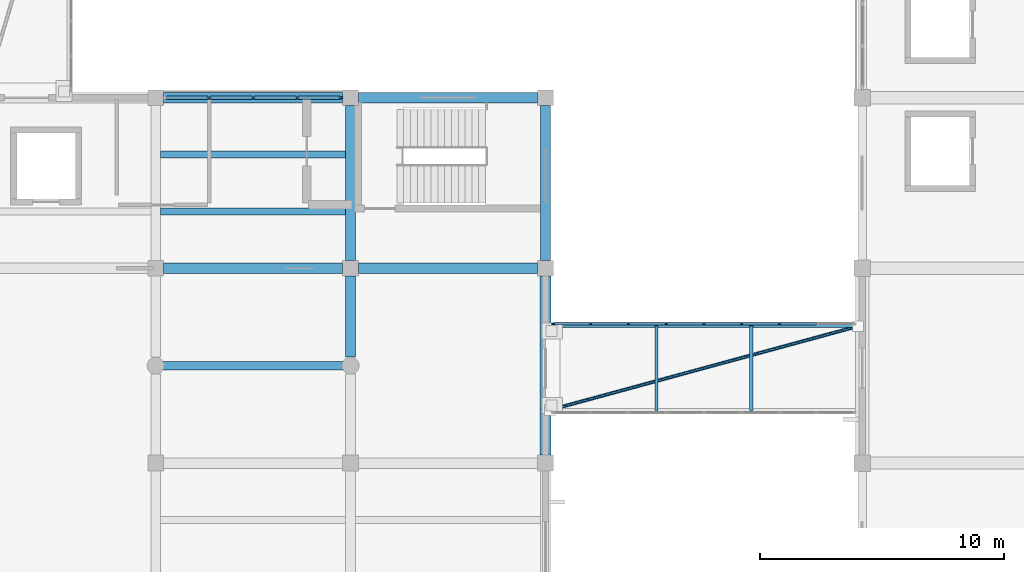
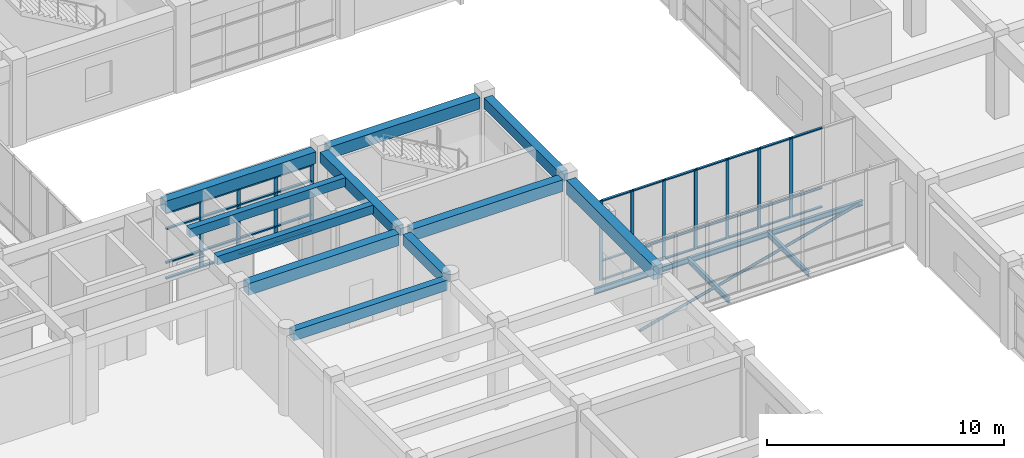
# One storey, part 22 of 72: 49 members, 14 beams, 2 elements without a shape of their own.
"""IFC4 building model written with IfcOpenShell, lengths in metres."""

from ifc_helpers import new_model, si_unit, direction, frame, origin, origin_2d, place, context, subcontext, project, spatial, rectangle, hollow_circle, i_section, extrude, material, layer, layer_set, material_profile, profile_set, type_object, element, aggregate, save


model = new_model("IFC4")

# Units and contexts
model_context = context("Model", 3, precision=1e-05, world=origin(), true_north=direction((0.0, 1.0)))
body_context = subcontext(model_context, "Body", "Model", "MODEL_VIEW")
ifc_project = project(units=[si_unit("LENGTHUNIT", "METRE"), si_unit("AREAUNIT", "SQUARE_METRE"), si_unit("VOLUMEUNIT", "CUBIC_METRE"), si_unit("PLANEANGLEUNIT", "RADIAN"), si_unit("MASSUNIT", "GRAM", prefix="KILO")], contexts=[model_context])

# Site, building, storey
site_placement = place(None, origin())
site = spatial("IfcSite", under=ifc_project, at=site_placement, CompositionType="ELEMENT")
building_placement = place(site_placement, origin())
building = spatial("IfcBuilding", under=site, at=building_placement, Name="Naurynzar Civic Courthouse", CompositionType="ELEMENT")
storey_placement = place(building_placement, frame((0.0, 0.0, 9.89990234375)))
storey = spatial("IfcBuildingStorey", under=building, at=storey_placement, Name="L03", CompositionType="ELEMENT", Elevation=9.89990234375)

# Beams
ifc_material_1 = material(Name="Concrete C40/50", Category="concrete")
ifc_material_profile_1 = material_profile(ifc_material_1, rectangle(XDim=0.300048828125, YDim=0.449951171875, at=origin_2d()), Name="RCJ 300x450")
ifc_profile_set_1 = profile_set([ifc_material_profile_1], Name="Concrete C40/50")
beam_type_1 = type_object("IfcBeamType", Name="BM-JST-300x450", PredefinedType="JOIST", material=ifc_profile_set_1)
for number, where, z_axis, x_axis, name in (
    (1, (101.199951171875, 27.333251953125, 3.93505859375), (1.0, 0.0, 0.0), (0.0, 1.0, 0.0), "V3 secondary rib 1488 L03"),
    (2, (101.199951171875, 29.666748046875, 3.93505859375), (1.0, 0.0, 0.0), (0.0, 1.0, 0.0), "V3 secondary rib 1489 L03"),
):
    element("IfcBeam", number, at=place(storey_placement, frame(where, z_axis=z_axis, x_axis=x_axis)), inside=storey, type_object=beam_type_1, Name=name, PredefinedType="JOIST", context=body_context, shape_type="SweptSolid", body=[
        extrude(rectangle(XDim=0.300048828125, YDim=0.449951171875, at=origin_2d()), origin(), (0.0, 0.0, 1.0), 7.60009765625),
    ])
ifc_material_2 = material(Name="Concrete C40/50", Category="concrete")
ifc_material_profile_2 = material_profile(ifc_material_2, rectangle(XDim=0.35009765625, YDim=0.52490234375, at=origin_2d()), Name="RCB 350x525")
ifc_profile_set_2 = profile_set([ifc_material_profile_2], Name="Concrete C40/50")
beam_type_2 = type_object("IfcBeamType", Name="BM-LNT-350x525", PredefinedType="LINTEL", material=ifc_profile_set_2)
beam_1_placement = place(storey_placement, frame((101.25, 21.0, 3.897705078125), z_axis=(1.0, 0.0, 0.0), x_axis=(0.0, 1.0, 0.0)))
element("IfcBeam", 3, at=beam_1_placement, inside=storey, type_object=beam_type_2, Name="Law Library spine lintel beam 8", PredefinedType="LINTEL", context=body_context, shape_type="SweptSolid", body=[
    extrude(rectangle(XDim=0.35009765625, YDim=0.52490234375, at=origin_2d()), origin(), (0.0, 0.0, 1.0), 7.5),
])
ifc_material_3 = material(Name="Concrete C40/50", Category="concrete")
ifc_material_profile_3 = material_profile(ifc_material_3, rectangle(XDim=0.39990234375, YDim=0.550048828125, at=origin_2d()), Name="RCB 400x550")
ifc_profile_set_3 = profile_set([ifc_material_profile_3], Name="Concrete C40/50")
beam_type_3 = type_object("IfcBeamType", Name="BM-RC-400x550", PredefinedType="BEAM", material=ifc_profile_set_3)
beam_2_placement = place(storey_placement, frame((109.0, 21.35009765625, 3.885009765625), z_axis=(0.0, 1.0, 0.0), x_axis=(-1.0, 0.0, 0.0)))
element("IfcBeam", 4, at=beam_2_placement, inside=storey, type_object=beam_type_3, Name="V3 girder Y-1469 L03", PredefinedType="BEAM", context=body_context, shape_type="SweptSolid", body=[
    extrude(rectangle(XDim=0.39990234375, YDim=0.550048828125, at=origin_2d()), origin(), (0.0, 0.0, 1.0), 3.324951171875),
])
for number, where, z_axis, x_axis, name in (
    (5, (109.0, 25.324951171875, 3.885009765625), (0.0, 1.0, 0.0), (-1.0, 0.0, 0.0), "V3 girder Y-1470 L03"),
    (6, (117.0, 25.324951171875, 3.885009765625), (0.0, 1.0, 0.0), (-1.0, 0.0, 0.0), "V3 girder Y-1474 L03"),
):
    element("IfcBeam", number, at=place(storey_placement, frame(where, z_axis=z_axis, x_axis=x_axis)), inside=storey, type_object=beam_type_3, Name=name, PredefinedType="BEAM", context=body_context, shape_type="SweptSolid", body=[
        extrude(rectangle(XDim=0.39990234375, YDim=0.550048828125, at=origin_2d()), origin(), (0.0, 0.0, 1.0), 6.35009765625),
    ])
ifc_material_4 = material(Name="Concrete C40/50", Category="concrete")
ifc_material_profile_4 = material_profile(ifc_material_4, rectangle(XDim=0.425048828125, YDim=0.60009765625, at=origin_2d()), Name="RCB 425x600")
ifc_profile_set_4 = profile_set([ifc_material_profile_4], Name="Concrete C40/50")
beam_type_4 = type_object("IfcBeamType", Name="BM-RC-425x600", PredefinedType="BEAM", material=ifc_profile_set_4)
for number, where, z_axis, x_axis, name in (
    (7, (101.324951171875, 25.0, 3.860107421875), (1.0, 0.0, 0.0), (0.0, 1.0, 0.0), "V3 beam X-1437 L03"),
    (8, (109.324951171875, 25.0, 3.860107421875), (1.0, 0.0, 0.0), (0.0, 1.0, 0.0), "V3 beam X-1438 L03"),
    (9, (101.324951171875, 32.0, 3.860107421875), (1.0, 0.0, 0.0), (0.0, 1.0, 0.0), "V3 beam X-1443 L03"),
    (10, (109.324951171875, 32.0, 3.860107421875), (1.0, 0.0, 0.0), (0.0, 1.0, 0.0), "V3 beam X-1444 L03"),
):
    element("IfcBeam", number, at=place(storey_placement, frame(where, z_axis=z_axis, x_axis=x_axis)), inside=storey, type_object=beam_type_4, Name=name, PredefinedType="BEAM", context=body_context, shape_type="SweptSolid", body=[
        extrude(rectangle(XDim=0.425048828125, YDim=0.60009765625, at=origin_2d()), origin(), (0.0, 0.0, 1.0), 7.35009765625),
    ])
ifc_material_5 = material(Name="Concrete C40/50", Category="concrete")
ifc_material_profile_5 = material_profile(ifc_material_5, rectangle(XDim=0.449951171875, YDim=0.699951171875, at=origin_2d()), Name="RCB 450x700")
ifc_profile_set_5 = profile_set([ifc_material_profile_5], Name="Concrete C40/50")
beam_type_5 = type_object("IfcBeamType", Name="BM-RC-450x700", PredefinedType="BEAM", material=ifc_profile_set_5)
beam_3_placement = place(storey_placement, frame((117.0, 17.324951171875, 3.81005859375), z_axis=(0.0, 1.0, 0.0), x_axis=(-1.0, 0.0, 0.0)))
element("IfcBeam", 11, at=beam_3_placement, inside=storey, type_object=beam_type_5, Name="V3 girder Y-1473 L03", PredefinedType="BEAM", context=body_context, shape_type="SweptSolid", body=[
    extrude(rectangle(XDim=0.449951171875, YDim=0.699951171875, at=origin_2d()), origin(), (0.0, 0.0, 1.0), 7.35009765625),
])
ifc_material_6 = material(Name="Steel S355", Category="steel")
ifc_material_profile_6 = material_profile(ifc_material_6, i_section(OverallWidth=0.135009765625, OverallDepth=0.27001953125, WebThickness=0.006591796875, FlangeThickness=0.01025390625, FilletRadius=0.014892578125, at=origin_2d()), Name="IPE 270")
ifc_profile_set_6 = profile_set([ifc_material_profile_6], Name="Steel S355")
beam_type_6 = type_object("IfcBeamType", Name="BM-STL-IPE270", PredefinedType="BEAM", material=ifc_profile_set_6)
beam_4_placement = place(storey_placement, frame((116.949951171875, 22.6298828125, -0.375), z_axis=(1.0, 0.0, 0.0), x_axis=(0.0, 1.0, 0.0)))
element("IfcBeam", 12, at=beam_4_placement, inside=storey, type_object=beam_type_6, Name="BR-E2 edge steel beam L03.2", PredefinedType="BEAM", context=body_context, shape_type="SweptSolid", body=[
    extrude(i_section(OverallWidth=0.135009765625, OverallDepth=0.27001953125, WebThickness=0.006591796875, FlangeThickness=0.01025390625, FilletRadius=0.014892578125, at=origin_2d()), origin(), (0.0, 0.0, 1.0), 13.10009765625),
])
for number, where, z_axis, x_axis, name in (
    (13, (121.555908203125, 19.169921875, -0.375), (0.0, 1.0, 0.0), (-1.0, 0.0, 0.0), "BR-E2 deck cross-beam L03.1"),
    (14, (125.444091796875, 19.169921875, -0.375), (0.0, 1.0, 0.0), (-1.0, 0.0, 0.0), "BR-E2 deck cross-beam L03.2"),
):
    element("IfcBeam", number, at=place(storey_placement, frame(where, z_axis=z_axis, x_axis=x_axis)), inside=storey, type_object=beam_type_6, Name=name, PredefinedType="BEAM", context=body_context, shape_type="SweptSolid", body=[
        extrude(i_section(OverallWidth=0.135009765625, OverallDepth=0.27001953125, WebThickness=0.006591796875, FlangeThickness=0.01025390625, FilletRadius=0.014892578125, at=origin_2d()), origin(), (0.0, 0.0, 1.0), 3.4599609375),
    ])

# Curtain wall, members
ifc_material_7 = material(Name="Aluminium 6063-T6", Category="aluminium")
ifc_layer_1 = layer(ifc_material_7, 0.14990234375)
ifc_layer_set_1 = layer_set([ifc_layer_1], Name="CW-BRIDGE-1500")
curtain_wall_type_1 = type_object("IfcCurtainWallType", Name="CW-BRIDGE-1500", PredefinedType="USERDEFINED", material=ifc_layer_set_1)
curtain_wall_1_placement = place(storey_placement, origin())
curtain_wall_1 = element("IfcCurtainWall", 15, at=curtain_wall_1_placement, inside=storey, type_object=curtain_wall_type_1, Name="BR-E2 glazed bridge screen L03.2", ObjectType="GLAZED BRIDGE SCREEN", PredefinedType="USERDEFINED")
ifc_material_8 = material(Name="Aluminium 6063-T6", Category="aluminium")
ifc_material_profile_7 = material_profile(ifc_material_8, rectangle(XDim=0.06005859375, YDim=0.14990234375, at=origin_2d()), Name="ALU MULLION 60x150")
ifc_profile_set_7 = profile_set([ifc_material_profile_7], Name="Aluminium 6063-T6")
member_type_1 = type_object("IfcMemberType", Name="CWM-60x150", PredefinedType="MULLION", material=ifc_profile_set_7)
member_1_placement = place(storey_placement, frame((126.60009765625, 22.719970703125, 0.0), z_axis=(0.0, 0.0, 1.0), x_axis=(0.0, -1.0, 0.0)))
member_1 = element("IfcMember", 16, at=member_1_placement, type_object=member_type_1, Name="CW-03 mullion 3", PredefinedType="MULLION", context=body_context, shape_type="SweptSolid", body=[
    extrude(rectangle(XDim=0.06005859375, YDim=0.14990234375, at=origin_2d()), origin(), (0.0, 0.0, 1.0), 4.1201171875),
])
member_2_placement = place(storey_placement, frame((125.050048828125, 22.719970703125, 0.0), z_axis=(0.0, 0.0, 1.0), x_axis=(0.0, -1.0, 0.0)))
member_2 = element("IfcMember", 17, at=member_2_placement, type_object=member_type_1, Name="CW-03 mullion 4", PredefinedType="MULLION", context=body_context, shape_type="SweptSolid", body=[
    extrude(rectangle(XDim=0.06005859375, YDim=0.14990234375, at=origin_2d()), origin(), (0.0, 0.0, 1.0), 4.1201171875),
])
member_3_placement = place(storey_placement, frame((123.5, 22.719970703125, 0.0), z_axis=(0.0, 0.0, 1.0), x_axis=(0.0, -1.0, 0.0)))
member_3 = element("IfcMember", 18, at=member_3_placement, type_object=member_type_1, Name="CW-03 mullion 5", PredefinedType="MULLION", context=body_context, shape_type="SweptSolid", body=[
    extrude(rectangle(XDim=0.06005859375, YDim=0.14990234375, at=origin_2d()), origin(), (0.0, 0.0, 1.0), 4.1201171875),
])
member_4_placement = place(storey_placement, frame((121.949951171875, 22.719970703125, 0.0), z_axis=(0.0, 0.0, 1.0), x_axis=(0.0, -1.0, 0.0)))
member_4 = element("IfcMember", 19, at=member_4_placement, type_object=member_type_1, Name="CW-03 mullion 6", PredefinedType="MULLION", context=body_context, shape_type="SweptSolid", body=[
    extrude(rectangle(XDim=0.06005859375, YDim=0.14990234375, at=origin_2d()), origin(), (0.0, 0.0, 1.0), 4.1201171875),
])
member_5_placement = place(storey_placement, frame((120.39990234375, 22.719970703125, 0.0), z_axis=(0.0, 0.0, 1.0), x_axis=(0.0, -1.0, 0.0)))
member_5 = element("IfcMember", 20, at=member_5_placement, type_object=member_type_1, Name="CW-03 mullion 7", PredefinedType="MULLION", context=body_context, shape_type="SweptSolid", body=[
    extrude(rectangle(XDim=0.06005859375, YDim=0.14990234375, at=origin_2d()), origin(), (0.0, 0.0, 1.0), 4.1201171875),
])
member_6_placement = place(storey_placement, frame((118.85009765625, 22.719970703125, 0.0), z_axis=(0.0, 0.0, 1.0), x_axis=(0.0, -1.0, 0.0)))
member_6 = element("IfcMember", 21, at=member_6_placement, type_object=member_type_1, Name="CW-03 mullion 8", PredefinedType="MULLION", context=body_context, shape_type="SweptSolid", body=[
    extrude(rectangle(XDim=0.06005859375, YDim=0.14990234375, at=origin_2d()), origin(), (0.0, 0.0, 1.0), 4.1201171875),
])
member_7_placement = place(storey_placement, frame((117.330078125, 22.719970703125, 0.0), z_axis=(0.0, 0.0, 1.0), x_axis=(0.0, -1.0, 0.0)))
member_7 = element("IfcMember", 22, at=member_7_placement, type_object=member_type_1, Name="CW-03 mullion 9", PredefinedType="MULLION", context=body_context, shape_type="SweptSolid", body=[
    extrude(rectangle(XDim=0.06005859375, YDim=0.14990234375, at=origin_2d()), origin(), (0.0, 0.0, 1.0), 4.1201171875),
])

ifc_material_9 = material(Name="Aluminium 6063-T6", Category="aluminium")
ifc_layer_2 = layer(ifc_material_9, 0.159912109375)
ifc_layer_set_2 = layer_set([ifc_layer_2], Name="CW-UNIT-1800")
curtain_wall_type_2 = type_object("IfcCurtainWallType", Name="CW-UNIT-1800", PredefinedType="NOTDEFINED", material=ifc_layer_set_2)
curtain_wall_2_placement = place(storey_placement, origin())
curtain_wall_2 = element("IfcCurtainWall", 23, at=curtain_wall_2_placement, inside=storey, type_object=curtain_wall_type_2, Name="V3 unitised curtain wall 69 L03", PredefinedType="NOTDEFINED")
ifc_material_10 = material(Name="Aluminium 6063-T6", Category="aluminium")
ifc_material_profile_8 = material_profile(ifc_material_10, rectangle(XDim=0.070068359375, YDim=0.179931640625, at=origin_2d()), Name="ALU MULLION 70x180")
ifc_profile_set_8 = profile_set([ifc_material_profile_8], Name="Aluminium 6063-T6")
member_type_2 = type_object("IfcMemberType", Name="CWM-70x180", PredefinedType="MULLION", material=ifc_profile_set_8)
member_8_placement = place(storey_placement, frame((103.1875, 32.0, 0.0), z_axis=(0.0, 0.0, 1.0), x_axis=(0.0, 1.0, 0.0)))
member_8 = element("IfcMember", 24, at=member_8_placement, type_object=member_type_2, Name="CW-02 mullion 2", PredefinedType="MULLION", context=body_context, shape_type="SweptSolid", body=[
    extrude(rectangle(XDim=0.070068359375, YDim=0.179931640625, at=origin_2d()), origin(), (0.0, 0.0, 1.0), 3.440185546875),
])
member_9_placement = place(storey_placement, frame((105.0, 32.0, 0.0), z_axis=(0.0, 0.0, 1.0), x_axis=(0.0, 1.0, 0.0)))
member_9 = element("IfcMember", 25, at=member_9_placement, type_object=member_type_2, Name="CW-02 mullion 3", PredefinedType="MULLION", context=body_context, shape_type="SweptSolid", body=[
    extrude(rectangle(XDim=0.070068359375, YDim=0.179931640625, at=origin_2d()), origin(), (0.0, 0.0, 1.0), 3.440185546875),
])
member_10_placement = place(storey_placement, frame((106.8125, 32.0, 0.0), z_axis=(0.0, 0.0, 1.0), x_axis=(0.0, 1.0, 0.0)))
member_10 = element("IfcMember", 26, at=member_10_placement, type_object=member_type_2, Name="CW-02 mullion 4", PredefinedType="MULLION", context=body_context, shape_type="SweptSolid", body=[
    extrude(rectangle(XDim=0.070068359375, YDim=0.179931640625, at=origin_2d()), origin(), (0.0, 0.0, 1.0), 3.440185546875),
])
member_11_placement = place(storey_placement, frame((108.590087890625, 32.0, 0.0), z_axis=(0.0, 0.0, 1.0), x_axis=(0.0, 1.0, 0.0)))
member_11 = element("IfcMember", 27, at=member_11_placement, type_object=member_type_2, Name="CW-02 mullion 5", PredefinedType="MULLION", context=body_context, shape_type="SweptSolid", body=[
    extrude(rectangle(XDim=0.070068359375, YDim=0.179931640625, at=origin_2d()), origin(), (0.0, 0.0, 1.0), 3.440185546875),
])

# Member
ifc_material_11 = material(Name="Aluminium 6063-T6", Category="aluminium")
ifc_material_profile_9 = material_profile(ifc_material_11, rectangle(XDim=0.110107421875, YDim=0.06005859375, at=origin_2d()), Name="ALU TRANSOM 60x110")
ifc_profile_set_9 = profile_set([ifc_material_profile_9], Name="Aluminium 6063-T6")
member_type_3 = type_object("IfcMemberType", Name="CWT-60x110", PredefinedType="USERDEFINED", material=ifc_profile_set_9)
member_12_placement = place(storey_placement, frame((128.1201171875, 22.719970703125, 0.030029296875), z_axis=(-1.0, 0.0, 0.0), x_axis=(0.0, -1.0, 0.0)))
member_12 = element("IfcMember", 28, at=member_12_placement, type_object=member_type_3, Name="CW-03 transom 2.1", ObjectType="TRANSOM", PredefinedType="USERDEFINED", context=body_context, shape_type="SweptSolid", body=[
    extrude(rectangle(XDim=0.110107421875, YDim=0.06005859375, at=origin_2d()), origin(), (0.0, 0.0, 1.0), 1.490234375),
])

member_13_placement = place(storey_placement, frame((128.1201171875, 22.719970703125, 1.0), z_axis=(-1.0, 0.0, 0.0), x_axis=(0.0, -1.0, 0.0)))
member_13 = element("IfcMember", 29, at=member_13_placement, type_object=member_type_3, Name="CW-03 transom 2.2", ObjectType="TRANSOM", PredefinedType="USERDEFINED", context=body_context, shape_type="SweptSolid", body=[
    extrude(rectangle(XDim=0.110107421875, YDim=0.06005859375, at=origin_2d()), origin(), (0.0, 0.0, 1.0), 1.490234375),
])

member_14_placement = place(storey_placement, frame((128.1201171875, 22.719970703125, 4.090087890625), z_axis=(-1.0, 0.0, 0.0), x_axis=(0.0, -1.0, 0.0)))
member_14 = element("IfcMember", 30, at=member_14_placement, type_object=member_type_3, Name="CW-03 transom 2.3", ObjectType="TRANSOM", PredefinedType="USERDEFINED", context=body_context, shape_type="SweptSolid", body=[
    extrude(rectangle(XDim=0.110107421875, YDim=0.06005859375, at=origin_2d()), origin(), (0.0, 0.0, 1.0), 1.490234375),
])

member_15_placement = place(storey_placement, frame((126.570068359375, 22.719970703125, 0.030029296875), z_axis=(-1.0, 0.0, 0.0), x_axis=(0.0, -1.0, 0.0)))
member_15 = element("IfcMember", 31, at=member_15_placement, type_object=member_type_3, Name="CW-03 transom 3.1", ObjectType="TRANSOM", PredefinedType="USERDEFINED", context=body_context, shape_type="SweptSolid", body=[
    extrude(rectangle(XDim=0.110107421875, YDim=0.06005859375, at=origin_2d()), origin(), (0.0, 0.0, 1.0), 1.489990234375),
])

member_16_placement = place(storey_placement, frame((126.570068359375, 22.719970703125, 1.0), z_axis=(-1.0, 0.0, 0.0), x_axis=(0.0, -1.0, 0.0)))
member_16 = element("IfcMember", 32, at=member_16_placement, type_object=member_type_3, Name="CW-03 transom 3.2", ObjectType="TRANSOM", PredefinedType="USERDEFINED", context=body_context, shape_type="SweptSolid", body=[
    extrude(rectangle(XDim=0.110107421875, YDim=0.06005859375, at=origin_2d()), origin(), (0.0, 0.0, 1.0), 1.489990234375),
])

member_17_placement = place(storey_placement, frame((126.570068359375, 22.719970703125, 4.090087890625), z_axis=(-1.0, 0.0, 0.0), x_axis=(0.0, -1.0, 0.0)))
member_17 = element("IfcMember", 33, at=member_17_placement, type_object=member_type_3, Name="CW-03 transom 3.3", ObjectType="TRANSOM", PredefinedType="USERDEFINED", context=body_context, shape_type="SweptSolid", body=[
    extrude(rectangle(XDim=0.110107421875, YDim=0.06005859375, at=origin_2d()), origin(), (0.0, 0.0, 1.0), 1.489990234375),
])

member_18_placement = place(storey_placement, frame((125.02001953125, 22.719970703125, 0.030029296875), z_axis=(-1.0, 0.0, 0.0), x_axis=(0.0, -1.0, 0.0)))
member_18 = element("IfcMember", 34, at=member_18_placement, type_object=member_type_3, Name="CW-03 transom 4.1", ObjectType="TRANSOM", PredefinedType="USERDEFINED", context=body_context, shape_type="SweptSolid", body=[
    extrude(rectangle(XDim=0.110107421875, YDim=0.06005859375, at=origin_2d()), origin(), (0.0, 0.0, 1.0), 1.489990234375),
])

member_19_placement = place(storey_placement, frame((125.02001953125, 22.719970703125, 1.0), z_axis=(-1.0, 0.0, 0.0), x_axis=(0.0, -1.0, 0.0)))
member_19 = element("IfcMember", 35, at=member_19_placement, type_object=member_type_3, Name="CW-03 transom 4.2", ObjectType="TRANSOM", PredefinedType="USERDEFINED", context=body_context, shape_type="SweptSolid", body=[
    extrude(rectangle(XDim=0.110107421875, YDim=0.06005859375, at=origin_2d()), origin(), (0.0, 0.0, 1.0), 1.489990234375),
])

member_20_placement = place(storey_placement, frame((125.02001953125, 22.719970703125, 4.090087890625), z_axis=(-1.0, 0.0, 0.0), x_axis=(0.0, -1.0, 0.0)))
member_20 = element("IfcMember", 36, at=member_20_placement, type_object=member_type_3, Name="CW-03 transom 4.3", ObjectType="TRANSOM", PredefinedType="USERDEFINED", context=body_context, shape_type="SweptSolid", body=[
    extrude(rectangle(XDim=0.110107421875, YDim=0.06005859375, at=origin_2d()), origin(), (0.0, 0.0, 1.0), 1.489990234375),
])

member_21_placement = place(storey_placement, frame((123.469970703125, 22.719970703125, 0.030029296875), z_axis=(-1.0, 0.0, 0.0), x_axis=(0.0, -1.0, 0.0)))
member_21 = element("IfcMember", 37, at=member_21_placement, type_object=member_type_3, Name="CW-03 transom 5.1", ObjectType="TRANSOM", PredefinedType="USERDEFINED", context=body_context, shape_type="SweptSolid", body=[
    extrude(rectangle(XDim=0.110107421875, YDim=0.06005859375, at=origin_2d()), origin(), (0.0, 0.0, 1.0), 1.489990234375),
])

member_22_placement = place(storey_placement, frame((123.469970703125, 22.719970703125, 1.0), z_axis=(-1.0, 0.0, 0.0), x_axis=(0.0, -1.0, 0.0)))
member_22 = element("IfcMember", 38, at=member_22_placement, type_object=member_type_3, Name="CW-03 transom 5.2", ObjectType="TRANSOM", PredefinedType="USERDEFINED", context=body_context, shape_type="SweptSolid", body=[
    extrude(rectangle(XDim=0.110107421875, YDim=0.06005859375, at=origin_2d()), origin(), (0.0, 0.0, 1.0), 1.489990234375),
])

member_23_placement = place(storey_placement, frame((123.469970703125, 22.719970703125, 4.090087890625), z_axis=(-1.0, 0.0, 0.0), x_axis=(0.0, -1.0, 0.0)))
member_23 = element("IfcMember", 39, at=member_23_placement, type_object=member_type_3, Name="CW-03 transom 5.3", ObjectType="TRANSOM", PredefinedType="USERDEFINED", context=body_context, shape_type="SweptSolid", body=[
    extrude(rectangle(XDim=0.110107421875, YDim=0.06005859375, at=origin_2d()), origin(), (0.0, 0.0, 1.0), 1.489990234375),
])

member_24_placement = place(storey_placement, frame((121.919921875, 22.719970703125, 0.030029296875), z_axis=(-1.0, 0.0, 0.0), x_axis=(0.0, -1.0, 0.0)))
member_24 = element("IfcMember", 40, at=member_24_placement, type_object=member_type_3, Name="CW-03 transom 6.1", ObjectType="TRANSOM", PredefinedType="USERDEFINED", context=body_context, shape_type="SweptSolid", body=[
    extrude(rectangle(XDim=0.110107421875, YDim=0.06005859375, at=origin_2d()), origin(), (0.0, 0.0, 1.0), 1.489990234375),
])

member_25_placement = place(storey_placement, frame((121.919921875, 22.719970703125, 1.0), z_axis=(-1.0, 0.0, 0.0), x_axis=(0.0, -1.0, 0.0)))
member_25 = element("IfcMember", 41, at=member_25_placement, type_object=member_type_3, Name="CW-03 transom 6.2", ObjectType="TRANSOM", PredefinedType="USERDEFINED", context=body_context, shape_type="SweptSolid", body=[
    extrude(rectangle(XDim=0.110107421875, YDim=0.06005859375, at=origin_2d()), origin(), (0.0, 0.0, 1.0), 1.489990234375),
])

member_26_placement = place(storey_placement, frame((121.919921875, 22.719970703125, 4.090087890625), z_axis=(-1.0, 0.0, 0.0), x_axis=(0.0, -1.0, 0.0)))
member_26 = element("IfcMember", 42, at=member_26_placement, type_object=member_type_3, Name="CW-03 transom 6.3", ObjectType="TRANSOM", PredefinedType="USERDEFINED", context=body_context, shape_type="SweptSolid", body=[
    extrude(rectangle(XDim=0.110107421875, YDim=0.06005859375, at=origin_2d()), origin(), (0.0, 0.0, 1.0), 1.489990234375),
])

member_27_placement = place(storey_placement, frame((120.3701171875, 22.719970703125, 0.030029296875), z_axis=(-1.0, 0.0, 0.0), x_axis=(0.0, -1.0, 0.0)))
member_27 = element("IfcMember", 43, at=member_27_placement, type_object=member_type_3, Name="CW-03 transom 7.1", ObjectType="TRANSOM", PredefinedType="USERDEFINED", context=body_context, shape_type="SweptSolid", body=[
    extrude(rectangle(XDim=0.110107421875, YDim=0.06005859375, at=origin_2d()), origin(), (0.0, 0.0, 1.0), 1.490234375),
])

member_28_placement = place(storey_placement, frame((120.3701171875, 22.719970703125, 1.0), z_axis=(-1.0, 0.0, 0.0), x_axis=(0.0, -1.0, 0.0)))
member_28 = element("IfcMember", 44, at=member_28_placement, type_object=member_type_3, Name="CW-03 transom 7.2", ObjectType="TRANSOM", PredefinedType="USERDEFINED", context=body_context, shape_type="SweptSolid", body=[
    extrude(rectangle(XDim=0.110107421875, YDim=0.06005859375, at=origin_2d()), origin(), (0.0, 0.0, 1.0), 1.490234375),
])

member_29_placement = place(storey_placement, frame((120.3701171875, 22.719970703125, 4.090087890625), z_axis=(-1.0, 0.0, 0.0), x_axis=(0.0, -1.0, 0.0)))
member_29 = element("IfcMember", 45, at=member_29_placement, type_object=member_type_3, Name="CW-03 transom 7.3", ObjectType="TRANSOM", PredefinedType="USERDEFINED", context=body_context, shape_type="SweptSolid", body=[
    extrude(rectangle(XDim=0.110107421875, YDim=0.06005859375, at=origin_2d()), origin(), (0.0, 0.0, 1.0), 1.490234375),
])

member_30_placement = place(storey_placement, frame((118.820068359375, 22.719970703125, 0.030029296875), z_axis=(-1.0, 0.0, 0.0), x_axis=(0.0, -1.0, 0.0)))
member_30 = element("IfcMember", 46, at=member_30_placement, type_object=member_type_3, Name="CW-03 transom 8.1", ObjectType="TRANSOM", PredefinedType="USERDEFINED", context=body_context, shape_type="SweptSolid", body=[
    extrude(rectangle(XDim=0.110107421875, YDim=0.06005859375, at=origin_2d()), origin(), (0.0, 0.0, 1.0), 1.4599609375),
])

member_31_placement = place(storey_placement, frame((118.820068359375, 22.719970703125, 1.0), z_axis=(-1.0, 0.0, 0.0), x_axis=(0.0, -1.0, 0.0)))
member_31 = element("IfcMember", 47, at=member_31_placement, type_object=member_type_3, Name="CW-03 transom 8.2", ObjectType="TRANSOM", PredefinedType="USERDEFINED", context=body_context, shape_type="SweptSolid", body=[
    extrude(rectangle(XDim=0.110107421875, YDim=0.06005859375, at=origin_2d()), origin(), (0.0, 0.0, 1.0), 1.4599609375),
])

member_32_placement = place(storey_placement, frame((118.820068359375, 22.719970703125, 4.090087890625), z_axis=(-1.0, 0.0, 0.0), x_axis=(0.0, -1.0, 0.0)))
member_32 = element("IfcMember", 48, at=member_32_placement, type_object=member_type_3, Name="CW-03 transom 8.3", ObjectType="TRANSOM", PredefinedType="USERDEFINED", context=body_context, shape_type="SweptSolid", body=[
    extrude(rectangle(XDim=0.110107421875, YDim=0.06005859375, at=origin_2d()), origin(), (0.0, 0.0, 1.0), 1.4599609375),
])

aggregate(curtain_wall_1, [member_1, member_2, member_3, member_4, member_5, member_6, member_7, member_12, member_13, member_14, member_15, member_16, member_17, member_18, member_19, member_20, member_21, member_22, member_23, member_24, member_25, member_26, member_27, member_28, member_29, member_30, member_31, member_32])

ifc_material_12 = material(Name="Aluminium 6063-T6", Category="aluminium")
ifc_material_profile_10 = material_profile(ifc_material_12, rectangle(XDim=0.1298828125, YDim=0.070068359375, at=origin_2d()), Name="ALU TRANSOM 70x130")
ifc_profile_set_10 = profile_set([ifc_material_profile_10], Name="Aluminium 6063-T6")
member_type_4 = type_object("IfcMemberType", Name="CWT-70x130", PredefinedType="USERDEFINED", material=ifc_profile_set_10)
member_33_placement = place(storey_placement, frame((101.445068359375, 32.0, 0.03515625), z_axis=(1.0, 0.0, 0.0), x_axis=(0.0, 1.0, 0.0)))
member_33 = element("IfcMember", 49, at=member_33_placement, type_object=member_type_4, Name="CW-02 transom 1.1", ObjectType="TRANSOM", PredefinedType="USERDEFINED", context=body_context, shape_type="SweptSolid", body=[
    extrude(rectangle(XDim=0.1298828125, YDim=0.070068359375, at=origin_2d()), origin(), (0.0, 0.0, 1.0), 1.70751953125),
])

member_34_placement = place(storey_placement, frame((101.445068359375, 32.0, 0.85009765625), z_axis=(1.0, 0.0, 0.0), x_axis=(0.0, 1.0, 0.0)))
member_34 = element("IfcMember", 50, at=member_34_placement, type_object=member_type_4, Name="CW-02 transom 1.2", ObjectType="TRANSOM", PredefinedType="USERDEFINED", context=body_context, shape_type="SweptSolid", body=[
    extrude(rectangle(XDim=0.1298828125, YDim=0.070068359375, at=origin_2d()), origin(), (0.0, 0.0, 1.0), 1.70751953125),
])

member_35_placement = place(storey_placement, frame((101.445068359375, 32.0, 2.590087890625), z_axis=(1.0, 0.0, 0.0), x_axis=(0.0, 1.0, 0.0)))
member_35 = element("IfcMember", 51, at=member_35_placement, type_object=member_type_4, Name="CW-02 transom 1.3", ObjectType="TRANSOM", PredefinedType="USERDEFINED", context=body_context, shape_type="SweptSolid", body=[
    extrude(rectangle(XDim=0.1298828125, YDim=0.070068359375, at=origin_2d()), origin(), (0.0, 0.0, 1.0), 1.70751953125),
])

member_36_placement = place(storey_placement, frame((101.445068359375, 32.0, 3.405029296875), z_axis=(1.0, 0.0, 0.0), x_axis=(0.0, 1.0, 0.0)))
member_36 = element("IfcMember", 52, at=member_36_placement, type_object=member_type_4, Name="CW-02 transom 1.4", ObjectType="TRANSOM", PredefinedType="USERDEFINED", context=body_context, shape_type="SweptSolid", body=[
    extrude(rectangle(XDim=0.1298828125, YDim=0.070068359375, at=origin_2d()), origin(), (0.0, 0.0, 1.0), 1.70751953125),
])

member_37_placement = place(storey_placement, frame((103.222412109375, 32.0, 0.03515625), z_axis=(1.0, 0.0, 0.0), x_axis=(0.0, 1.0, 0.0)))
member_37 = element("IfcMember", 53, at=member_37_placement, type_object=member_type_4, Name="CW-02 transom 2.1", ObjectType="TRANSOM", PredefinedType="USERDEFINED", context=body_context, shape_type="SweptSolid", body=[
    extrude(rectangle(XDim=0.1298828125, YDim=0.070068359375, at=origin_2d()), origin(), (0.0, 0.0, 1.0), 1.74267578125),
])

member_38_placement = place(storey_placement, frame((103.222412109375, 32.0, 0.85009765625), z_axis=(1.0, 0.0, 0.0), x_axis=(0.0, 1.0, 0.0)))
member_38 = element("IfcMember", 54, at=member_38_placement, type_object=member_type_4, Name="CW-02 transom 2.2", ObjectType="TRANSOM", PredefinedType="USERDEFINED", context=body_context, shape_type="SweptSolid", body=[
    extrude(rectangle(XDim=0.1298828125, YDim=0.070068359375, at=origin_2d()), origin(), (0.0, 0.0, 1.0), 1.74267578125),
])

member_39_placement = place(storey_placement, frame((103.222412109375, 32.0, 2.590087890625), z_axis=(1.0, 0.0, 0.0), x_axis=(0.0, 1.0, 0.0)))
member_39 = element("IfcMember", 55, at=member_39_placement, type_object=member_type_4, Name="CW-02 transom 2.3", ObjectType="TRANSOM", PredefinedType="USERDEFINED", context=body_context, shape_type="SweptSolid", body=[
    extrude(rectangle(XDim=0.1298828125, YDim=0.070068359375, at=origin_2d()), origin(), (0.0, 0.0, 1.0), 1.74267578125),
])

member_40_placement = place(storey_placement, frame((103.222412109375, 32.0, 3.405029296875), z_axis=(1.0, 0.0, 0.0), x_axis=(0.0, 1.0, 0.0)))
member_40 = element("IfcMember", 56, at=member_40_placement, type_object=member_type_4, Name="CW-02 transom 2.4", ObjectType="TRANSOM", PredefinedType="USERDEFINED", context=body_context, shape_type="SweptSolid", body=[
    extrude(rectangle(XDim=0.1298828125, YDim=0.070068359375, at=origin_2d()), origin(), (0.0, 0.0, 1.0), 1.74267578125),
])

member_41_placement = place(storey_placement, frame((105.034912109375, 32.0, 0.03515625), z_axis=(1.0, 0.0, 0.0), x_axis=(0.0, 1.0, 0.0)))
member_41 = element("IfcMember", 57, at=member_41_placement, type_object=member_type_4, Name="CW-02 transom 3.1", ObjectType="TRANSOM", PredefinedType="USERDEFINED", context=body_context, shape_type="SweptSolid", body=[
    extrude(rectangle(XDim=0.1298828125, YDim=0.070068359375, at=origin_2d()), origin(), (0.0, 0.0, 1.0), 1.74267578125),
])

member_42_placement = place(storey_placement, frame((105.034912109375, 32.0, 0.85009765625), z_axis=(1.0, 0.0, 0.0), x_axis=(0.0, 1.0, 0.0)))
member_42 = element("IfcMember", 58, at=member_42_placement, type_object=member_type_4, Name="CW-02 transom 3.2", ObjectType="TRANSOM", PredefinedType="USERDEFINED", context=body_context, shape_type="SweptSolid", body=[
    extrude(rectangle(XDim=0.1298828125, YDim=0.070068359375, at=origin_2d()), origin(), (0.0, 0.0, 1.0), 1.74267578125),
])

member_43_placement = place(storey_placement, frame((105.034912109375, 32.0, 2.590087890625), z_axis=(1.0, 0.0, 0.0), x_axis=(0.0, 1.0, 0.0)))
member_43 = element("IfcMember", 59, at=member_43_placement, type_object=member_type_4, Name="CW-02 transom 3.3", ObjectType="TRANSOM", PredefinedType="USERDEFINED", context=body_context, shape_type="SweptSolid", body=[
    extrude(rectangle(XDim=0.1298828125, YDim=0.070068359375, at=origin_2d()), origin(), (0.0, 0.0, 1.0), 1.74267578125),
])

member_44_placement = place(storey_placement, frame((105.034912109375, 32.0, 3.405029296875), z_axis=(1.0, 0.0, 0.0), x_axis=(0.0, 1.0, 0.0)))
member_44 = element("IfcMember", 60, at=member_44_placement, type_object=member_type_4, Name="CW-02 transom 3.4", ObjectType="TRANSOM", PredefinedType="USERDEFINED", context=body_context, shape_type="SweptSolid", body=[
    extrude(rectangle(XDim=0.1298828125, YDim=0.070068359375, at=origin_2d()), origin(), (0.0, 0.0, 1.0), 1.74267578125),
])

member_45_placement = place(storey_placement, frame((106.847412109375, 32.0, 0.03515625), z_axis=(1.0, 0.0, 0.0), x_axis=(0.0, 1.0, 0.0)))
member_45 = element("IfcMember", 61, at=member_45_placement, type_object=member_type_4, Name="CW-02 transom 4.1", ObjectType="TRANSOM", PredefinedType="USERDEFINED", context=body_context, shape_type="SweptSolid", body=[
    extrude(rectangle(XDim=0.1298828125, YDim=0.070068359375, at=origin_2d()), origin(), (0.0, 0.0, 1.0), 1.70751953125),
])

member_46_placement = place(storey_placement, frame((106.847412109375, 32.0, 0.85009765625), z_axis=(1.0, 0.0, 0.0), x_axis=(0.0, 1.0, 0.0)))
member_46 = element("IfcMember", 62, at=member_46_placement, type_object=member_type_4, Name="CW-02 transom 4.2", ObjectType="TRANSOM", PredefinedType="USERDEFINED", context=body_context, shape_type="SweptSolid", body=[
    extrude(rectangle(XDim=0.1298828125, YDim=0.070068359375, at=origin_2d()), origin(), (0.0, 0.0, 1.0), 1.70751953125),
])

member_47_placement = place(storey_placement, frame((106.847412109375, 32.0, 2.590087890625), z_axis=(1.0, 0.0, 0.0), x_axis=(0.0, 1.0, 0.0)))
member_47 = element("IfcMember", 63, at=member_47_placement, type_object=member_type_4, Name="CW-02 transom 4.3", ObjectType="TRANSOM", PredefinedType="USERDEFINED", context=body_context, shape_type="SweptSolid", body=[
    extrude(rectangle(XDim=0.1298828125, YDim=0.070068359375, at=origin_2d()), origin(), (0.0, 0.0, 1.0), 1.70751953125),
])

member_48_placement = place(storey_placement, frame((106.847412109375, 32.0, 3.405029296875), z_axis=(1.0, 0.0, 0.0), x_axis=(0.0, 1.0, 0.0)))
member_48 = element("IfcMember", 64, at=member_48_placement, type_object=member_type_4, Name="CW-02 transom 4.4", ObjectType="TRANSOM", PredefinedType="USERDEFINED", context=body_context, shape_type="SweptSolid", body=[
    extrude(rectangle(XDim=0.1298828125, YDim=0.070068359375, at=origin_2d()), origin(), (0.0, 0.0, 1.0), 1.70751953125),
])

aggregate(curtain_wall_2, [member_8, member_9, member_10, member_11, member_33, member_34, member_35, member_36, member_37, member_38, member_39, member_40, member_41, member_42, member_43, member_44, member_45, member_46, member_47, member_48])

ifc_material_13 = material(Name="Steel S355", Category="steel")
ifc_material_profile_11 = material_profile(ifc_material_13, hollow_circle(Radius=0.06982421875, WallThickness=0.008056640625, at=origin_2d()), Name="CHS 139.7x8")
ifc_profile_set_11 = profile_set([ifc_material_profile_11], Name="Steel S355")
member_type_5 = type_object("IfcMemberType", Name="MEM-BRACE-CHS139", PredefinedType="BRACE", material=ifc_profile_set_11)
member_49_placement = place(storey_placement, frame((117.179931640625, 19.179931640625, -0.40478515625), z_axis=(0.964901744126, 0.262611165382, 0.0), x_axis=(-0.262611165382, 0.964901744126, 0.0)))
element("IfcMember", 65, at=member_49_placement, inside=storey, type_object=member_type_5, Name="BR-E2 wind brace L03.1", PredefinedType="BRACE", context=body_context, shape_type="SweptSolid", body=[
    extrude(hollow_circle(Radius=0.06982421875, WallThickness=0.008056640625, at=origin_2d()), origin(), (0.0, 0.0, 1.0), 13.099853515625),
])

save(model, "model.ifc")
